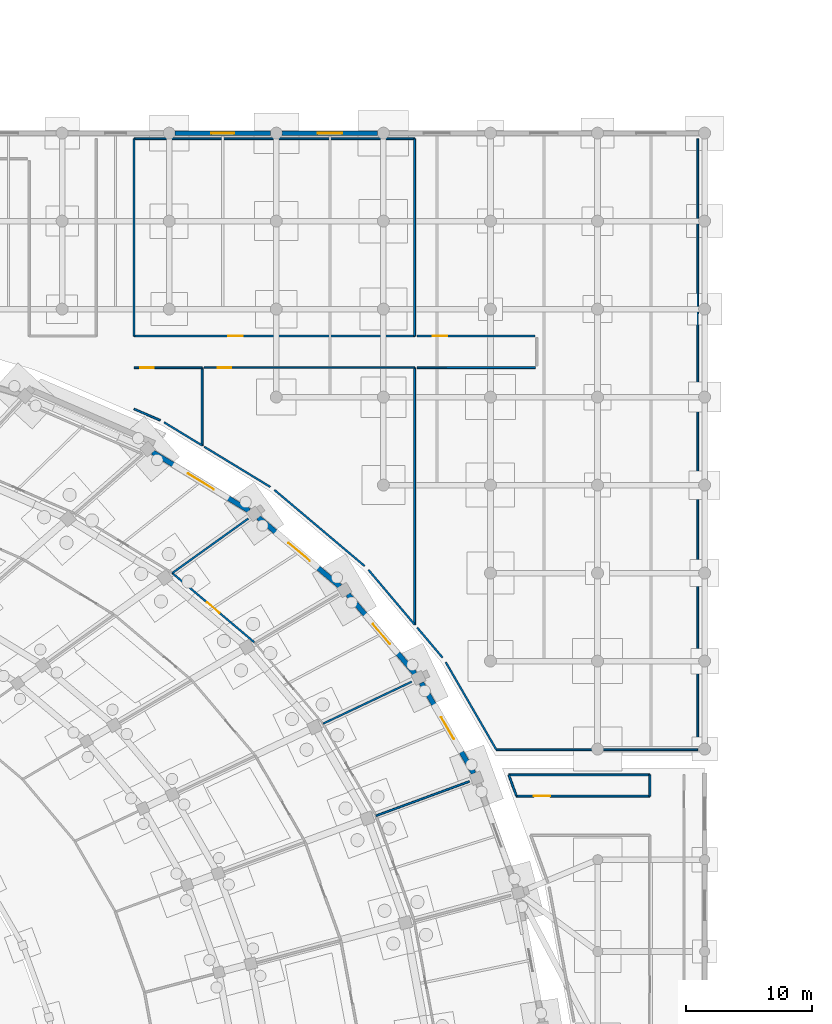
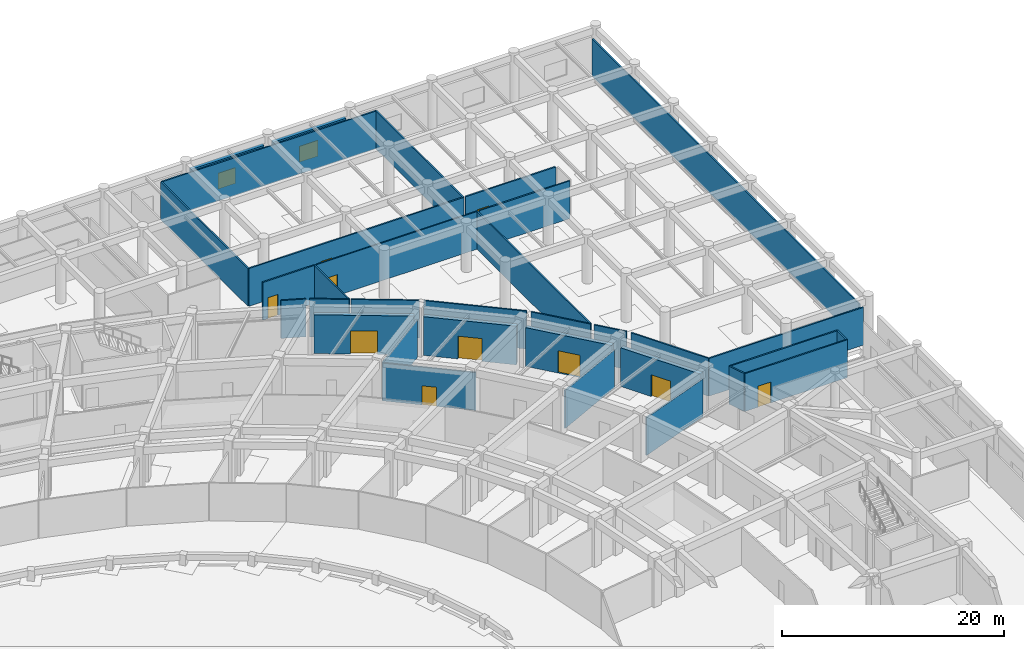
# One storey, part 64 of 88: 33 walls, 10 doors, 2 windows, 12 openings.
"""IFC4 building model written with IfcOpenShell, lengths in metres."""

from ifc_helpers import new_model, si_unit, direction, frame, frame_2d, origin, place, context, subcontext, project, spatial, rectangle, extrude, material, layer, layer_set, type_object, element, fill, save


model = new_model("IFC4")

# Units and contexts
model_context = context("Model", 3, precision=1e-05, world=origin(), true_north=direction((0.0, 1.0)))
body_context = subcontext(model_context, "Body", "Model", "MODEL_VIEW")
ifc_project = project(units=[si_unit("LENGTHUNIT", "METRE"), si_unit("AREAUNIT", "SQUARE_METRE"), si_unit("VOLUMEUNIT", "CUBIC_METRE"), si_unit("PLANEANGLEUNIT", "RADIAN"), si_unit("MASSUNIT", "GRAM", prefix="KILO")], contexts=[model_context])

# Site, building, storey
site_placement = place(None, origin())
site = spatial("IfcSite", under=ifc_project, at=site_placement, CompositionType="ELEMENT")
building_placement = place(site_placement, origin())
building = spatial("IfcBuilding", under=site, at=building_placement, Name="Mphavela Belvedere Stadium", CompositionType="ELEMENT")
storey_placement = place(building_placement, origin())
storey = spatial("IfcBuildingStorey", under=building, at=storey_placement, Name="L00", CompositionType="ELEMENT", Elevation=0.0)

# Wall, opening, window
ifc_material_1 = material(Name="Honed ashlar limestone masonry", Category="masonry")
ifc_layer_1 = layer(ifc_material_1, 0.35009765625)
ifc_layer_set_1 = layer_set([ifc_layer_1], Name="Honed ashlar limestone masonry")
wall_type_1 = type_object("IfcWallType", Name="WAL-EXT-ASHLAR-350", PredefinedType="STANDARD", material=ifc_layer_set_1)
wall_1_placement = place(storey_placement, frame((187.8798828125, 174.0, 0.0), z_axis=(0.0, 0.0, 1.0), x_axis=(1.0, 0.0, 0.0)))
wall_1 = element("IfcWall", 1, at=wall_1_placement, inside=storey, type_object=wall_type_1, Name="North Mast and Ceremonial End Forecourt outer facade bay L00-23", PredefinedType="STANDARD", context=body_context, shape_type="SweptSolid", body=[
    extrude(rectangle(XDim=7.572998046875, YDim=0.35009765625, at=frame_2d((3.78662109375, 0.0))), origin(), (0.0, 0.0, 1.0), 4.159912109375),
])
opening_1_placement = place(wall_1_placement, frame((2.886474609375, 0.0, 0.89990234375)))
opening_1 = element("IfcOpeningElement", 2, at=opening_1_placement, cuts=wall_1, Name="Opening W-149", PredefinedType="OPENING", context=body_context, shape_type="SweptSolid", body=[
    extrude(rectangle(XDim=1.800048828125, YDim=1.75, at=frame_2d((0.89990234375, 0.875))), frame((0.0, 0.18505859375, 0.0), z_axis=(0.0, -1.0, 0.0), x_axis=(1.0, 0.0, 0.0)), (0.0, 0.0, 1.0), 0.3701171875),
])
ifc_material_2 = material(Name="Bronze-anodised thermally broken aluminium window", Category="aluminium")
window_type_1 = type_object("IfcWindowType", Name="WIN-EXT-17", PartitioningType="SINGLE_PANEL", PredefinedType="WINDOW", material=ifc_material_2)
window_1_placement = place(opening_1_placement, origin())
window_1 = element("IfcWindow", 3, at=window_1_placement, inside=storey, type_object=window_type_1, Name="North Mast and Ceremonial End Forecourt classical window W-149", OverallHeight=1.75, OverallWidth=1.800048828125, PartitioningType="SINGLE_PANEL", PredefinedType="WINDOW", context=body_context, shape_type="SweptSolid", body=[
    extrude(rectangle(XDim=1.800048828125, YDim=1.75, at=frame_2d((0.89990234375, 0.875))), frame((0.0, 0.030029296875, 0.0), z_axis=(0.0, -1.0, 0.0), x_axis=(1.0, 0.0, 0.0)), (0.0, 0.0, 1.0), 0.06005859375),
])
fill(opening_1, window_1)

wall_2_placement = place(storey_placement, frame((196.39892578125, 174.0, 0.0), z_axis=(0.0, 0.0, 1.0), x_axis=(1.0, 0.0, 0.0)))
wall_2 = element("IfcWall", 4, at=wall_2_placement, inside=storey, type_object=wall_type_1, Name="North Mast and Ceremonial End Forecourt outer facade bay L00-24", PredefinedType="STANDARD", context=body_context, shape_type="SweptSolid", body=[
    extrude(rectangle(XDim=7.572021484375, YDim=0.35009765625, at=frame_2d((3.7861328125, 0.0))), origin(), (0.0, 0.0, 1.0), 4.159912109375),
])
opening_2_placement = place(wall_2_placement, frame((2.81591796875, 0.0, 0.89990234375)))
opening_2 = element("IfcOpeningElement", 5, at=opening_2_placement, cuts=wall_2, Name="Opening W-150", PredefinedType="OPENING", context=body_context, shape_type="SweptSolid", body=[
    extrude(rectangle(XDim=1.93994140625, YDim=1.75, at=frame_2d((0.969970703125, 0.875))), frame((0.0, 0.18505859375, 0.0), z_axis=(0.0, -1.0, 0.0), x_axis=(1.0, 0.0, 0.0)), (0.0, 0.0, 1.0), 0.3701171875),
])
ifc_material_3 = material(Name="Bronze-anodised thermally broken aluminium window", Category="aluminium")
window_type_2 = type_object("IfcWindowType", Name="WIN-EXT-18", PartitioningType="SINGLE_PANEL", PredefinedType="WINDOW", material=ifc_material_3)
window_2_placement = place(opening_2_placement, origin())
window_2 = element("IfcWindow", 6, at=window_2_placement, inside=storey, type_object=window_type_2, Name="North Mast and Ceremonial End Forecourt classical window W-150", OverallHeight=1.75, OverallWidth=1.93994140625, PartitioningType="SINGLE_PANEL", PredefinedType="WINDOW", context=body_context, shape_type="SweptSolid", body=[
    extrude(rectangle(XDim=1.93994140625, YDim=1.75, at=frame_2d((0.969970703125, 0.875))), frame((0.0, 0.030029296875, 0.0), z_axis=(0.0, -1.0, 0.0), x_axis=(1.0, 0.0, 0.0)), (0.0, 0.0, 1.0), 0.06005859375),
])
fill(opening_2, window_2)

# Wall, opening, door
ifc_material_4 = material(Name="Rusticated ashlar limestone masonry", Category="masonry")
ifc_layer_2 = layer(ifc_material_4, 0.39990234375)
ifc_layer_set_2 = layer_set([ifc_layer_2], Name="Rusticated ashlar limestone masonry")
wall_type_2 = type_object("IfcWallType", Name="WAL-EXT-ASHLAR-400", PredefinedType="STANDARD", material=ifc_layer_set_2)
wall_3_placement = place(storey_placement, frame((207.466796875, 130.273681640625, 0.0), z_axis=(0.0, 0.0, 1.0), x_axis=(0.500543493437, -0.865711390232, 0.0)))
wall_3 = element("IfcWall", 7, at=wall_3_placement, inside=storey, type_object=wall_type_2, Name="Ground plinth rusticated ashlar wall 04", PredefinedType="STANDARD", context=body_context, shape_type="SweptSolid", body=[
    extrude(rectangle(XDim=8.321044921875, YDim=0.39990234375, at=frame_2d((4.16064453125, 0.0))), origin(), (0.0, 0.0, 1.0), 4.25),
])
opening_3_placement = place(wall_3_placement, frame((3.16064453125, 0.0, 0.0)))
opening_3 = element("IfcOpeningElement", 8, at=opening_3_placement, cuts=wall_3, Name="Opening ED-003", PredefinedType="OPENING", context=body_context, shape_type="SweptSolid", body=[
    extrude(rectangle(XDim=2.0, YDim=2.39990234375, at=frame_2d((1.0, 1.199951171875))), frame((0.0, 0.2099609375, 0.0), z_axis=(0.0, -1.0, 0.0), x_axis=(1.0, 0.0, 0.0)), (0.0, 0.0, 1.0), 0.419921875),
])
ifc_material_5 = material(Name="Glazed bronze-anodised steel exit doorset", Category="steel")
door_type_1 = type_object("IfcDoorType", Name="DR-EXT-03", OperationType="NOTDEFINED", PredefinedType="DOOR", material=ifc_material_5)
door_1_placement = place(opening_3_placement, origin())
door_1 = element("IfcDoor", 9, at=door_1_placement, inside=storey, type_object=door_type_1, Name="Spectator final exit doorset ED-003", OperationType="DOUBLE_DOOR_SINGLE_SWING", OverallHeight=2.39990234375, OverallWidth=2.0, PredefinedType="DOOR", context=body_context, shape_type="SweptSolid", body=[
    extrude(rectangle(XDim=2.0, YDim=2.39990234375, at=frame_2d((1.0, 1.199951171875))), frame((0.0, 0.02490234375, 0.0), z_axis=(0.0, -1.0, 0.0), x_axis=(1.0, 0.0, 0.0)), (0.0, 0.0, 1.0), 0.050048828125),
])
fill(opening_3, door_1)

wall_4_placement = place(storey_placement, frame((201.627197265625, 137.311279296875, 0.0), z_axis=(0.0, 0.0, 1.0), x_axis=(0.645194244502, -0.764018577563, 0.0)))
wall_4 = element("IfcWall", 10, at=wall_4_placement, inside=storey, type_object=wall_type_2, Name="Ground plinth rusticated ashlar wall 05", PredefinedType="STANDARD", context=body_context, shape_type="SweptSolid", body=[
    extrude(rectangle(XDim=8.255615234375, YDim=0.39990234375, at=frame_2d((4.1279296875, 0.0))), origin(), (0.0, 0.0, 1.0), 4.25),
])
opening_4_placement = place(wall_4_placement, frame((3.07763671875, 0.0, 0.0)))
opening_4 = element("IfcOpeningElement", 11, at=opening_4_placement, cuts=wall_4, Name="Opening ED-004", PredefinedType="OPENING", context=body_context, shape_type="SweptSolid", body=[
    extrude(rectangle(XDim=2.10009765625, YDim=2.449951171875, at=frame_2d((1.050048828125, 1.22509765625))), frame((0.0, 0.2099609375, 0.0), z_axis=(0.0, -1.0, 0.0), x_axis=(1.0, 0.0, 0.0)), (0.0, 0.0, 1.0), 0.419921875),
])
ifc_material_6 = material(Name="Glazed bronze-anodised steel exit doorset", Category="steel")
door_type_2 = type_object("IfcDoorType", Name="DR-EXT-04", OperationType="NOTDEFINED", PredefinedType="DOOR", material=ifc_material_6)
door_2_placement = place(opening_4_placement, origin())
door_2 = element("IfcDoor", 12, at=door_2_placement, inside=storey, type_object=door_type_2, Name="Spectator final exit doorset ED-004", OperationType="DOUBLE_DOOR_SINGLE_SWING", OverallHeight=2.449951171875, OverallWidth=2.10009765625, PredefinedType="DOOR", context=body_context, shape_type="SweptSolid", body=[
    extrude(rectangle(XDim=2.10009765625, YDim=2.449951171875, at=frame_2d((1.050048828125, 1.22509765625))), frame((0.0, 0.02490234375, 0.0), z_axis=(0.0, -1.0, 0.0), x_axis=(1.0, 0.0, 0.0)), (0.0, 0.0, 1.0), 0.050048828125),
])
fill(opening_4, door_2)

wall_5_placement = place(storey_placement, frame((194.498046875, 143.425537109375, 0.0), z_axis=(0.0, 0.0, 1.0), x_axis=(0.764254773348, -0.644914445035, 0.0)))
wall_5 = element("IfcWall", 13, at=wall_5_placement, inside=storey, type_object=wall_type_2, Name="Ground plinth rusticated ashlar wall 06", PredefinedType="STANDARD", context=body_context, shape_type="SweptSolid", body=[
    extrude(rectangle(XDim=8.502197265625, YDim=0.39990234375, at=frame_2d((4.2509765625, 0.0))), origin(), (0.0, 0.0, 1.0), 4.25),
])
opening_5_placement = place(wall_5_placement, frame((3.151123046875, 0.0, 0.0)))
opening_5 = element("IfcOpeningElement", 14, at=opening_5_placement, cuts=wall_5, Name="Opening ED-005", PredefinedType="OPENING", context=body_context, shape_type="SweptSolid", body=[
    extrude(rectangle(XDim=2.199951171875, YDim=2.5, at=frame_2d((1.10009765625, 1.25))), frame((0.0, 0.2099609375, 0.0), z_axis=(0.0, -1.0, 0.0), x_axis=(1.0, 0.0, 0.0)), (0.0, 0.0, 1.0), 0.419921875),
])
ifc_material_7 = material(Name="Glazed bronze-anodised steel exit doorset", Category="steel")
door_type_3 = type_object("IfcDoorType", Name="DR-EXT-05", OperationType="NOTDEFINED", PredefinedType="DOOR", material=ifc_material_7)
door_3_placement = place(opening_5_placement, origin())
door_3 = element("IfcDoor", 15, at=door_3_placement, inside=storey, type_object=door_type_3, Name="Spectator final exit doorset ED-005", OperationType="DOUBLE_DOOR_SINGLE_SWING", OverallHeight=2.5, OverallWidth=2.199951171875, PredefinedType="DOOR", context=body_context, shape_type="SweptSolid", body=[
    extrude(rectangle(XDim=2.199951171875, YDim=2.5, at=frame_2d((1.10009765625, 1.25))), frame((0.0, 0.02490234375, 0.0), z_axis=(0.0, -1.0, 0.0), x_axis=(1.0, 0.0, 0.0)), (0.0, 0.0, 1.0), 0.050048828125),
])
fill(opening_5, door_3)

wall_6_placement = place(storey_placement, frame((186.078857421875, 148.628173828125, 0.0), z_axis=(0.0, 0.0, 1.0), x_axis=(0.854319454423, -0.519748275413, 0.0)))
wall_6 = element("IfcWall", 16, at=wall_6_placement, inside=storey, type_object=wall_type_2, Name="Ground plinth rusticated ashlar wall 07", PredefinedType="STANDARD", context=body_context, shape_type="SweptSolid", body=[
    extrude(rectangle(XDim=9.006103515625, YDim=0.39990234375, at=frame_2d((4.5029296875, 0.0))), origin(), (0.0, 0.0, 1.0), 4.25),
])
opening_6_placement = place(wall_6_placement, frame((3.302978515625, 0.0, 0.0)))
opening_6 = element("IfcOpeningElement", 17, at=opening_6_placement, cuts=wall_6, Name="Opening ED-006", PredefinedType="OPENING", context=body_context, shape_type="SweptSolid", body=[
    extrude(rectangle(XDim=2.39990234375, YDim=2.550048828125, at=frame_2d((1.199951171875, 1.27490234375))), frame((0.0, 0.2099609375, 0.0), z_axis=(0.0, -1.0, 0.0), x_axis=(1.0, 0.0, 0.0)), (0.0, 0.0, 1.0), 0.419921875),
])
ifc_material_8 = material(Name="Glazed bronze-anodised steel exit doorset", Category="steel")
door_type_4 = type_object("IfcDoorType", Name="DR-EXT-06", OperationType="NOTDEFINED", PredefinedType="DOOR", material=ifc_material_8)
door_4_placement = place(opening_6_placement, origin())
door_4 = element("IfcDoor", 18, at=door_4_placement, inside=storey, type_object=door_type_4, Name="Spectator final exit doorset ED-006", OperationType="DOUBLE_DOOR_SINGLE_SWING", OverallHeight=2.550048828125, OverallWidth=2.39990234375, PredefinedType="DOOR", context=body_context, shape_type="SweptSolid", body=[
    extrude(rectangle(XDim=2.39990234375, YDim=2.550048828125, at=frame_2d((1.199951171875, 1.27490234375))), frame((0.0, 0.02490234375, 0.0), z_axis=(0.0, -1.0, 0.0), x_axis=(1.0, 0.0, 0.0)), (0.0, 0.0, 1.0), 0.050048828125),
])
fill(opening_6, door_4)

ifc_material_9 = material(Name="Moisture-resistant sanitary partition assembly")
ifc_layer_3 = layer(ifc_material_9, 0.125)
ifc_layer_set_3 = layer_set([ifc_layer_3], Name="Moisture-resistant sanitary partition assembly")
wall_type_3 = type_object("IfcWallType", Name="WAL-PART-125", PredefinedType="PARTITIONING", material=ifc_layer_set_3)
wall_7_placement = place(storey_placement, frame((190.18994140625, 155.340087890625, 0.0), z_axis=(0.0, 0.0, 1.0), x_axis=(1.0, 0.0, 0.0)))
wall_7 = element("IfcWall", 19, at=wall_7_placement, inside=storey, type_object=wall_type_3, Name="Room L00-185 corridor partition", PredefinedType="PARTITIONING", context=body_context, shape_type="SweptSolid", body=[
    extrude(rectangle(XDim=16.739990234375, YDim=0.125, at=frame_2d((8.3701171875, 0.0))), origin(), (0.0, 0.0, 1.0), 4.14990234375),
])
opening_7_placement = place(wall_7_placement, frame((1.070068359375, 0.0, 0.0)))
opening_7 = element("IfcOpeningElement", 20, at=opening_7_placement, cuts=wall_7, Name="Opening ID-426", PredefinedType="OPENING", context=body_context, shape_type="SweptSolid", body=[
    extrude(rectangle(XDim=1.10009765625, YDim=2.300048828125, at=frame_2d((0.550048828125, 1.14990234375))), frame((0.0, 0.072509765625, 0.0), z_axis=(0.0, -1.0, 0.0), x_axis=(1.0, 0.0, 0.0)), (0.0, 0.0, 1.0), 0.14501953125),
])
ifc_material_10 = material(Name="Hardwood acoustic timber doorset", Category="wood")
door_type_5 = type_object("IfcDoorType", Name="DR-INT-30", OperationType="NOTDEFINED", PredefinedType="DOOR", material=ifc_material_10)
door_5_placement = place(opening_7_placement, origin())
door_5 = element("IfcDoor", 21, at=door_5_placement, inside=storey, type_object=door_type_5, Name="Room L00-185 entrance door ID-426", OperationType="SINGLE_SWING_RIGHT", OverallHeight=2.300048828125, OverallWidth=1.10009765625, PredefinedType="DOOR", context=body_context, shape_type="SweptSolid", body=[
    extrude(rectangle(XDim=1.10009765625, YDim=2.300048828125, at=frame_2d((0.550048828125, 1.14990234375))), frame((0.0, 0.02490234375, 0.0), z_axis=(0.0, -1.0, 0.0), x_axis=(1.0, 0.0, 0.0)), (0.0, 0.0, 1.0), 0.050048828125),
])
fill(opening_7, door_5)

ifc_material_11 = material(Name="Acoustic gypsum stud partition assembly")
ifc_layer_4 = layer(ifc_material_11, 0.14990234375)
ifc_layer_set_4 = layer_set([ifc_layer_4], Name="Acoustic gypsum stud partition assembly")
wall_type_4 = type_object("IfcWallType", Name="WAL-PART-150", PredefinedType="PARTITIONING", material=ifc_layer_set_4)
wall_8_placement = place(storey_placement, frame((194.1748046875, 133.4970703125, 0.0), z_axis=(0.0, 0.0, 1.0), x_axis=(-0.764257572309, 0.644911128117, 0.0)))
wall_8 = element("IfcWall", 22, at=wall_8_placement, inside=storey, type_object=wall_type_4, Name="Room L00-49 corridor partition", PredefinedType="PARTITIONING", context=body_context, shape_type="SweptSolid", body=[
    extrude(rectangle(XDim=8.53857421875, YDim=0.14990234375, at=frame_2d((4.269287109375, 0.0))), origin(), (0.0, 0.0, 1.0), 4.14990234375),
])
opening_8_placement = place(wall_8_placement, frame((3.609130859375, 0.0, 0.0)))
opening_8 = element("IfcOpeningElement", 23, at=opening_8_placement, cuts=wall_8, Name="Opening ID-011", PredefinedType="OPENING", context=body_context, shape_type="SweptSolid", body=[
    extrude(rectangle(XDim=1.320068359375, YDim=2.10009765625, at=frame_2d((0.66015625, 1.050048828125))), frame((0.0, 0.0849609375, 0.0), z_axis=(0.0, -1.0, 0.0), x_axis=(1.0, 0.0, 0.0)), (0.0, 0.0, 1.0), 0.169921875),
])
ifc_material_12 = material(Name="Hardwood acoustic timber doorset", Category="wood")
door_type_6 = type_object("IfcDoorType", Name="DR-INT-11", OperationType="NOTDEFINED", PredefinedType="DOOR", material=ifc_material_12)
door_6_placement = place(opening_8_placement, origin())
door_6 = element("IfcDoor", 24, at=door_6_placement, inside=storey, type_object=door_type_6, Name="Room L00-49 entrance door ID-011", OperationType="SINGLE_SWING_LEFT", OverallHeight=2.10009765625, OverallWidth=1.320068359375, PredefinedType="DOOR", context=body_context, shape_type="SweptSolid", body=[
    extrude(rectangle(XDim=1.320068359375, YDim=2.10009765625, at=frame_2d((0.66015625, 1.050048828125))), frame((0.0, 0.02490234375, 0.0), z_axis=(0.0, -1.0, 0.0), x_axis=(1.0, 0.0, 0.0)), (0.0, 0.0, 1.0), 0.050048828125),
])
fill(opening_8, door_6)

wall_9_placement = place(storey_placement, frame((184.610107421875, 155.340087890625, 0.0), z_axis=(0.0, 0.0, 1.0), x_axis=(1.0, 0.0, 0.0)))
wall_9 = element("IfcWall", 25, at=wall_9_placement, inside=storey, type_object=wall_type_4, Name="Room L00-184 corridor partition", PredefinedType="PARTITIONING", context=body_context, shape_type="SweptSolid", body=[
    extrude(rectangle(XDim=5.419921875, YDim=0.14990234375, at=frame_2d((2.7099609375, 0.0))), origin(), (0.0, 0.0, 1.0), 4.14990234375),
])
opening_9_placement = place(wall_9_placement, frame((0.506103515625, 0.0, 0.0)))
opening_9 = element("IfcOpeningElement", 26, at=opening_9_placement, cuts=wall_9, Name="Opening ID-425", PredefinedType="OPENING", context=body_context, shape_type="SweptSolid", body=[
    extrude(rectangle(XDim=1.06005859375, YDim=2.300048828125, at=frame_2d((0.530029296875, 1.14990234375))), frame((0.0, 0.0849609375, 0.0), z_axis=(0.0, -1.0, 0.0), x_axis=(1.0, 0.0, 0.0)), (0.0, 0.0, 1.0), 0.169921875),
])
ifc_material_13 = material(Name="Hardwood acoustic timber doorset", Category="wood")
door_type_7 = type_object("IfcDoorType", Name="DR-INT-29", OperationType="NOTDEFINED", PredefinedType="DOOR", material=ifc_material_13)
door_7_placement = place(opening_9_placement, origin())
door_7 = element("IfcDoor", 27, at=door_7_placement, inside=storey, type_object=door_type_7, Name="Room L00-184 entrance door ID-425", OperationType="SINGLE_SWING_LEFT", OverallHeight=2.300048828125, OverallWidth=1.06005859375, PredefinedType="DOOR", context=body_context, shape_type="SweptSolid", body=[
    extrude(rectangle(XDim=1.06005859375, YDim=2.300048828125, at=frame_2d((0.530029296875, 1.14990234375))), frame((0.0, 0.02490234375, 0.0), z_axis=(0.0, -1.0, 0.0), x_axis=(1.0, 0.0, 0.0)), (0.0, 0.0, 1.0), 0.050048828125),
])
fill(opening_9, door_7)

wall_10_placement = place(storey_placement, frame((206.929931640625, 157.860107421875, 0.0), z_axis=(0.0, 0.0, 1.0), x_axis=(-1.0, 0.0, 0.0)))
wall_10 = element("IfcWall", 28, at=wall_10_placement, inside=storey, type_object=wall_type_4, Name="Room L00-186 corridor partition", PredefinedType="PARTITIONING", context=body_context, shape_type="SweptSolid", body=[
    extrude(rectangle(XDim=22.31982421875, YDim=0.14990234375, at=frame_2d((11.159912109375, 0.0))), origin(), (0.0, 0.0, 1.0), 4.14990234375),
])
opening_10_placement = place(wall_10_placement, frame((13.6708984375, 0.0, 0.0)))
opening_10 = element("IfcOpeningElement", 29, at=opening_10_placement, cuts=wall_10, Name="Opening ID-427", PredefinedType="OPENING", context=body_context, shape_type="SweptSolid", body=[
    extrude(rectangle(XDim=1.139892578125, YDim=2.300048828125, at=frame_2d((0.56982421875, 1.14990234375))), frame((0.0, 0.0849609375, 0.0), z_axis=(0.0, -1.0, 0.0), x_axis=(1.0, 0.0, 0.0)), (0.0, 0.0, 1.0), 0.169921875),
])
ifc_material_14 = material(Name="Hardwood acoustic timber doorset", Category="wood")
door_type_8 = type_object("IfcDoorType", Name="DR-INT-31", OperationType="NOTDEFINED", PredefinedType="DOOR", material=ifc_material_14)
door_8_placement = place(opening_10_placement, origin())
door_8 = element("IfcDoor", 30, at=door_8_placement, inside=storey, type_object=door_type_8, Name="Room L00-186 entrance door ID-427", OperationType="SINGLE_SWING_LEFT", OverallHeight=2.300048828125, OverallWidth=1.139892578125, PredefinedType="DOOR", context=body_context, shape_type="SweptSolid", body=[
    extrude(rectangle(XDim=1.139892578125, YDim=2.300048828125, at=frame_2d((0.56982421875, 1.14990234375))), frame((0.0, 0.02490234375, 0.0), z_axis=(0.0, -1.0, 0.0), x_axis=(1.0, 0.0, 0.0)), (0.0, 0.0, 1.0), 0.050048828125),
])
fill(opening_10, door_8)

wall_11_placement = place(storey_placement, frame((216.5, 157.860107421875, 0.0), z_axis=(0.0, 0.0, 1.0), x_axis=(-1.0, 0.0, 0.0)))
wall_11 = element("IfcWall", 31, at=wall_11_placement, inside=storey, type_object=wall_type_4, Name="Room L00-187 corridor partition", PredefinedType="PARTITIONING", context=body_context, shape_type="SweptSolid", body=[
    extrude(rectangle(XDim=9.3701171875, YDim=0.14990234375, at=frame_2d((4.68505859375, 0.0))), origin(), (0.0, 0.0, 1.0), 4.14990234375),
])
opening_11_placement = place(wall_11_placement, frame((6.964111328125, 0.0, 0.0)))
opening_11 = element("IfcOpeningElement", 32, at=opening_11_placement, cuts=wall_11, Name="Opening ID-428", PredefinedType="OPENING", context=body_context, shape_type="SweptSolid", body=[
    extrude(rectangle(XDim=1.179931640625, YDim=2.300048828125, at=frame_2d((0.58984375, 1.14990234375))), frame((0.0, 0.0849609375, 0.0), z_axis=(0.0, -1.0, 0.0), x_axis=(1.0, 0.0, 0.0)), (0.0, 0.0, 1.0), 0.169921875),
])
ifc_material_15 = material(Name="Hardwood acoustic timber doorset", Category="wood")
door_type_9 = type_object("IfcDoorType", Name="DR-INT-32", OperationType="NOTDEFINED", PredefinedType="DOOR", material=ifc_material_15)
door_9_placement = place(opening_11_placement, origin())
door_9 = element("IfcDoor", 33, at=door_9_placement, inside=storey, type_object=door_type_9, Name="Room L00-187 entrance door ID-428", OperationType="SINGLE_SWING_RIGHT", OverallHeight=2.300048828125, OverallWidth=1.179931640625, PredefinedType="DOOR", context=body_context, shape_type="SweptSolid", body=[
    extrude(rectangle(XDim=1.179931640625, YDim=2.300048828125, at=frame_2d((0.58984375, 1.14990234375))), frame((0.0, 0.02490234375, 0.0), z_axis=(0.0, -1.0, 0.0), x_axis=(1.0, 0.0, 0.0)), (0.0, 0.0, 1.0), 0.050048828125),
])
fill(opening_11, door_9)

wall_12_placement = place(storey_placement, frame((225.639892578125, 121.260009765625, 0.0), z_axis=(0.0, 0.0, 1.0), x_axis=(-1.0, 0.0, 0.0)))
wall_12 = element("IfcWall", 34, at=wall_12_placement, inside=storey, type_object=wall_type_4, Name="Room L00-212 corridor partition", PredefinedType="PARTITIONING", context=body_context, shape_type="SweptSolid", body=[
    extrude(rectangle(XDim=10.6083984375, YDim=0.14990234375, at=frame_2d((5.30419921875, 0.0))), origin(), (0.0, 0.0, 1.0), 4.14990234375),
])
opening_12_placement = place(wall_12_placement, frame((7.9306640625, 0.0, 0.0)))
opening_12 = element("IfcOpeningElement", 35, at=opening_12_placement, cuts=wall_12, Name="Opening ID-539", PredefinedType="OPENING", context=body_context, shape_type="SweptSolid", body=[
    extrude(rectangle(XDim=1.320068359375, YDim=2.300048828125, at=frame_2d((0.66015625, 1.14990234375))), frame((0.0, 0.0849609375, 0.0), z_axis=(0.0, -1.0, 0.0), x_axis=(1.0, 0.0, 0.0)), (0.0, 0.0, 1.0), 0.169921875),
])
ifc_material_16 = material(Name="Hardwood acoustic timber doorset", Category="wood")
door_type_10 = type_object("IfcDoorType", Name="DR-INT-35", OperationType="NOTDEFINED", PredefinedType="DOOR", material=ifc_material_16)
door_10_placement = place(opening_12_placement, origin())
door_10 = element("IfcDoor", 36, at=door_10_placement, inside=storey, type_object=door_type_10, Name="Room L00-212 entrance door ID-539", OperationType="SINGLE_SWING_LEFT", OverallHeight=2.300048828125, OverallWidth=1.320068359375, PredefinedType="DOOR", context=body_context, shape_type="SweptSolid", body=[
    extrude(rectangle(XDim=1.320068359375, YDim=2.300048828125, at=frame_2d((0.66015625, 1.14990234375))), frame((0.0, 0.02490234375, 0.0), z_axis=(0.0, -1.0, 0.0), x_axis=(1.0, 0.0, 0.0)), (0.0, 0.0, 1.0), 0.050048828125),
])
fill(opening_12, door_10)

# Walls
wall_13_placement = place(storey_placement, frame((203.866455078125, 119.6962890625, 0.0), z_axis=(0.0, 0.0, 1.0), x_axis=(0.938346807893, 0.345695340028, 0.0)))
element("IfcWall", 37, at=wall_13_placement, inside=storey, type_object=wall_type_4, Name="Room divider partition L00-0010", PredefinedType="PARTITIONING", context=body_context, shape_type="SweptSolid", body=[
    extrude(rectangle(XDim=7.90478515625, YDim=0.14990234375, at=frame_2d((3.952392578125, 0.0))), origin(), (0.0, 0.0, 1.0), 4.14990234375),
])
wall_14_placement = place(storey_placement, frame((199.64111328125, 127.01904296875, 0.0), z_axis=(0.0, 0.0, 1.0), x_axis=(0.903854859666, 0.427839213559, 0.0)))
element("IfcWall", 38, at=wall_14_placement, inside=storey, type_object=wall_type_4, Name="Room divider partition L00-0013", PredefinedType="PARTITIONING", context=body_context, shape_type="SweptSolid", body=[
    extrude(rectangle(XDim=7.814208984375, YDim=0.14990234375, at=frame_2d((3.9072265625, 0.0))), origin(), (0.0, 0.0, 1.0), 4.14990234375),
])
wall_15_placement = place(storey_placement, frame((187.649169921875, 139.003662109375, 0.0), z_axis=(0.0, 0.0, 1.0), x_axis=(0.812884613266, 0.582424763824, 0.0)))
element("IfcWall", 39, at=wall_15_placement, inside=storey, type_object=wall_type_4, Name="Room divider partition L00-0019", PredefinedType="PARTITIONING", context=body_context, shape_type="SweptSolid", body=[
    extrude(rectangle(XDim=7.450439453125, YDim=0.14990234375, at=frame_2d((3.72509765625, 0.0))), origin(), (0.0, 0.0, 1.0), 4.14990234375),
])
wall_16_placement = place(storey_placement, frame((186.6904296875, 151.154541015625, 0.0), z_axis=(0.0, 0.0, 1.0), x_axis=(-0.917454774934, 0.397840088415, 0.0)))
element("IfcWall", 40, at=wall_16_placement, inside=storey, type_object=wall_type_4, Name="Room divider partition L00-0898", PredefinedType="PARTITIONING", context=body_context, shape_type="SweptSolid", body=[
    extrude(rectangle(XDim=2.267578125, YDim=0.14990234375, at=frame_2d((1.1337890625, 0.0))), origin(), (0.0, 0.0, 1.0), 4.14990234375),
])
wall_17_placement = place(storey_placement, frame((190.030029296875, 155.340087890625, 0.0), z_axis=(0.0, 0.0, 1.0), x_axis=(0.0, -1.0, 0.0)))
element("IfcWall", 41, at=wall_17_placement, inside=storey, type_object=wall_type_4, Name="Room divider partition L00-0899", PredefinedType="PARTITIONING", context=body_context, shape_type="SweptSolid", body=[
    extrude(rectangle(XDim=6.189453125, YDim=0.14990234375, at=frame_2d((3.0947265625, 0.0))), origin(), (0.0, 0.0, 1.0), 4.14990234375),
])
wall_18_placement = place(storey_placement, frame((190.030029296875, 149.150634765625, 0.0), z_axis=(0.0, 0.0, 1.0), x_axis=(-0.854335242099, 0.519722324042, 0.0)))
element("IfcWall", 42, at=wall_18_placement, inside=storey, type_object=wall_type_4, Name="Room divider partition L00-0900", PredefinedType="PARTITIONING", context=body_context, shape_type="SweptSolid", body=[
    extrude(rectangle(XDim=3.5517578125, YDim=0.14990234375, at=frame_2d((1.77587890625, 0.0))), origin(), (0.0, 0.0, 1.0), 4.14990234375),
])
wall_19_placement = place(storey_placement, frame((202.95068359375, 139.564208984375, 0.0), z_axis=(0.0, 0.0, 1.0), x_axis=(-0.76426547638, 0.644901761212, 0.0)))
element("IfcWall", 43, at=wall_19_placement, inside=storey, type_object=wall_type_4, Name="Room divider partition L00-0901", PredefinedType="PARTITIONING", context=body_context, shape_type="SweptSolid", body=[
    extrude(rectangle(XDim=9.3984375, YDim=0.14990234375, at=frame_2d((4.69921875, 0.0))), origin(), (0.0, 0.0, 1.0), 4.14990234375),
])
wall_20_placement = place(storey_placement, frame((195.455078125, 145.850341796875, 0.0), z_axis=(0.0, 0.0, 1.0), x_axis=(-0.854341575167, 0.519711913411, 0.0)))
element("IfcWall", 44, at=wall_20_placement, inside=storey, type_object=wall_type_4, Name="Room divider partition L00-0902", PredefinedType="PARTITIONING", context=body_context, shape_type="SweptSolid", body=[
    extrude(rectangle(XDim=6.162841796875, YDim=0.14990234375, at=frame_2d((3.08154296875, 0.0))), origin(), (0.0, 0.0, 1.0), 4.14990234375),
])
wall_21_placement = place(storey_placement, frame((206.929931640625, 155.340087890625, 0.0), z_axis=(0.0, 0.0, 1.0), x_axis=(0.0, -1.0, 0.0)))
element("IfcWall", 45, at=wall_21_placement, inside=storey, type_object=wall_type_4, Name="Room divider partition L00-0903", PredefinedType="PARTITIONING", context=body_context, shape_type="SweptSolid", body=[
    extrude(rectangle(XDim=20.43359375, YDim=0.14990234375, at=frame_2d((10.216796875, 0.0))), origin(), (0.0, 0.0, 1.0), 4.14990234375),
])
wall_22_placement = place(storey_placement, frame((206.929931640625, 134.906494140625, 0.0), z_axis=(0.0, 0.0, 1.0), x_axis=(-0.645178597855, 0.764031790484, 0.0)))
element("IfcWall", 46, at=wall_22_placement, inside=storey, type_object=wall_type_4, Name="Room divider partition L00-0904", PredefinedType="PARTITIONING", context=body_context, shape_type="SweptSolid", body=[
    extrude(rectangle(XDim=5.706298828125, YDim=0.14990234375, at=frame_2d((2.85302734375, 0.0))), origin(), (0.0, 0.0, 1.0), 4.14990234375),
])
wall_23_placement = place(storey_placement, frame((184.610107421875, 157.860107421875, 0.0), z_axis=(0.0, 0.0, 1.0), x_axis=(0.0, 1.0, 0.0)))
element("IfcWall", 47, at=wall_23_placement, inside=storey, type_object=wall_type_4, Name="Room divider partition L00-0905", PredefinedType="PARTITIONING", context=body_context, shape_type="SweptSolid", body=[
    extrude(rectangle(XDim=15.68994140625, YDim=0.14990234375, at=frame_2d((7.844970703125, 0.0))), origin(), (0.0, 0.0, 1.0), 4.14990234375),
])
wall_24_placement = place(storey_placement, frame((184.610107421875, 173.550048828125, 0.0), z_axis=(0.0, 0.0, 1.0), x_axis=(1.0, 0.0, 0.0)))
element("IfcWall", 48, at=wall_24_placement, inside=storey, type_object=wall_type_4, Name="Room divider partition L00-0906", PredefinedType="PARTITIONING", context=body_context, shape_type="SweptSolid", body=[
    extrude(rectangle(XDim=22.31982421875, YDim=0.14990234375, at=frame_2d((11.159912109375, 0.0))), origin(), (0.0, 0.0, 1.0), 4.14990234375),
])
wall_25_placement = place(storey_placement, frame((206.929931640625, 173.550048828125, 0.0), z_axis=(0.0, 0.0, 1.0), x_axis=(0.0, -1.0, 0.0)))
element("IfcWall", 49, at=wall_25_placement, inside=storey, type_object=wall_type_4, Name="Room divider partition L00-0907", PredefinedType="PARTITIONING", context=body_context, shape_type="SweptSolid", body=[
    extrude(rectangle(XDim=15.68994140625, YDim=0.14990234375, at=frame_2d((7.844970703125, 0.0))), origin(), (0.0, 0.0, 1.0), 4.14990234375),
])
wall_26_placement = place(storey_placement, frame((209.152587890625, 132.2744140625, 0.0), z_axis=(0.0, 0.0, 1.0), x_axis=(-0.64518788911, 0.764023944485, 0.0)))
element("IfcWall", 50, at=wall_26_placement, inside=storey, type_object=wall_type_4, Name="Room divider partition L00-0908", PredefinedType="PARTITIONING", context=body_context, shape_type="SweptSolid", body=[
    extrude(rectangle(XDim=3.135009765625, YDim=0.14990234375, at=frame_2d((1.5673828125, 0.0))), origin(), (0.0, 0.0, 1.0), 4.14990234375),
])
wall_27_placement = place(storey_placement, frame((207.1298828125, 155.340087890625, 0.0), z_axis=(0.0, 0.0, 1.0), x_axis=(0.999999951445, 0.000311623544, 0.0)))
element("IfcWall", 51, at=wall_27_placement, inside=storey, type_object=wall_type_4, Name="Room divider partition L00-0909", PredefinedType="PARTITIONING", context=body_context, shape_type="SweptSolid", body=[
    extrude(rectangle(XDim=9.4013671875, YDim=0.14990234375, at=frame_2d((4.70068359375, 0.0))), origin(), (0.0, 0.0, 1.0), 4.14990234375),
])
wall_28_placement = place(storey_placement, frame((229.449951171875, 173.550048828125, 0.0), z_axis=(0.0, 0.0, 1.0), x_axis=(0.0, -1.0, 0.0)))
element("IfcWall", 52, at=wall_28_placement, inside=storey, type_object=wall_type_4, Name="Room divider partition L00-0911", PredefinedType="PARTITIONING", context=body_context, shape_type="SweptSolid", body=[
    extrude(rectangle(XDim=48.050048828125, YDim=0.14990234375, at=frame_2d((24.02490234375, 0.0))), origin(), (0.0, 0.0, 1.0), 4.14990234375),
])
wall_29_placement = place(storey_placement, frame((229.449951171875, 124.949951171875, 0.0), z_axis=(0.0, 0.0, 1.0), x_axis=(-1.0, 0.0, 0.0)))
element("IfcWall", 53, at=wall_29_placement, inside=storey, type_object=wall_type_4, Name="Room divider partition L00-0912", PredefinedType="PARTITIONING", context=body_context, shape_type="SweptSolid", body=[
    extrude(rectangle(XDim=16.017333984375, YDim=0.14990234375, at=frame_2d((8.0087890625, 0.0))), origin(), (0.0, 0.0, 1.0), 4.14990234375),
])
wall_30_placement = place(storey_placement, frame((213.4326171875, 124.949951171875, 0.0), z_axis=(0.0, 0.0, 1.0), x_axis=(-0.500545605998, 0.865710168773, 0.0)))
element("IfcWall", 54, at=wall_30_placement, inside=storey, type_object=wall_type_4, Name="Room divider partition L00-0913", PredefinedType="PARTITIONING", context=body_context, shape_type="SweptSolid", body=[
    extrude(rectangle(XDim=8.04296875, YDim=0.14990234375, at=frame_2d((4.021484375, 0.0))), origin(), (0.0, 0.0, 1.0), 4.14990234375),
])
wall_31_placement = place(storey_placement, frame((215.031494140625, 121.260009765625, 0.0), z_axis=(0.0, 0.0, 1.0), x_axis=(-0.341012375502, 0.940058806541, 0.0)))
element("IfcWall", 55, at=wall_31_placement, inside=storey, type_object=wall_type_4, Name="Room divider partition L00-1231", PredefinedType="PARTITIONING", context=body_context, shape_type="SweptSolid", body=[
    extrude(rectangle(XDim=1.797607421875, YDim=0.14990234375, at=frame_2d((0.89892578125, 0.0))), origin(), (0.0, 0.0, 1.0), 4.14990234375),
])
wall_32_placement = place(storey_placement, frame((214.41845703125, 122.949951171875, 0.0), z_axis=(0.0, 0.0, 1.0), x_axis=(1.0, 0.0, 0.0)))
element("IfcWall", 56, at=wall_32_placement, inside=storey, type_object=wall_type_4, Name="Room divider partition L00-1232", PredefinedType="PARTITIONING", context=body_context, shape_type="SweptSolid", body=[
    extrude(rectangle(XDim=11.221435546875, YDim=0.14990234375, at=frame_2d((5.61083984375, 0.0))), origin(), (0.0, 0.0, 1.0), 4.14990234375),
])
wall_33_placement = place(storey_placement, frame((225.639892578125, 122.949951171875, 0.0), z_axis=(0.0, 0.0, 1.0), x_axis=(0.0, -1.0, 0.0)))
element("IfcWall", 57, at=wall_33_placement, inside=storey, type_object=wall_type_4, Name="Room divider partition L00-1233", PredefinedType="PARTITIONING", context=body_context, shape_type="SweptSolid", body=[
    extrude(rectangle(XDim=1.68994140625, YDim=0.14990234375, at=frame_2d((0.844970703125, 0.0))), origin(), (0.0, 0.0, 1.0), 4.14990234375),
])

save(model, "model.ifc")
